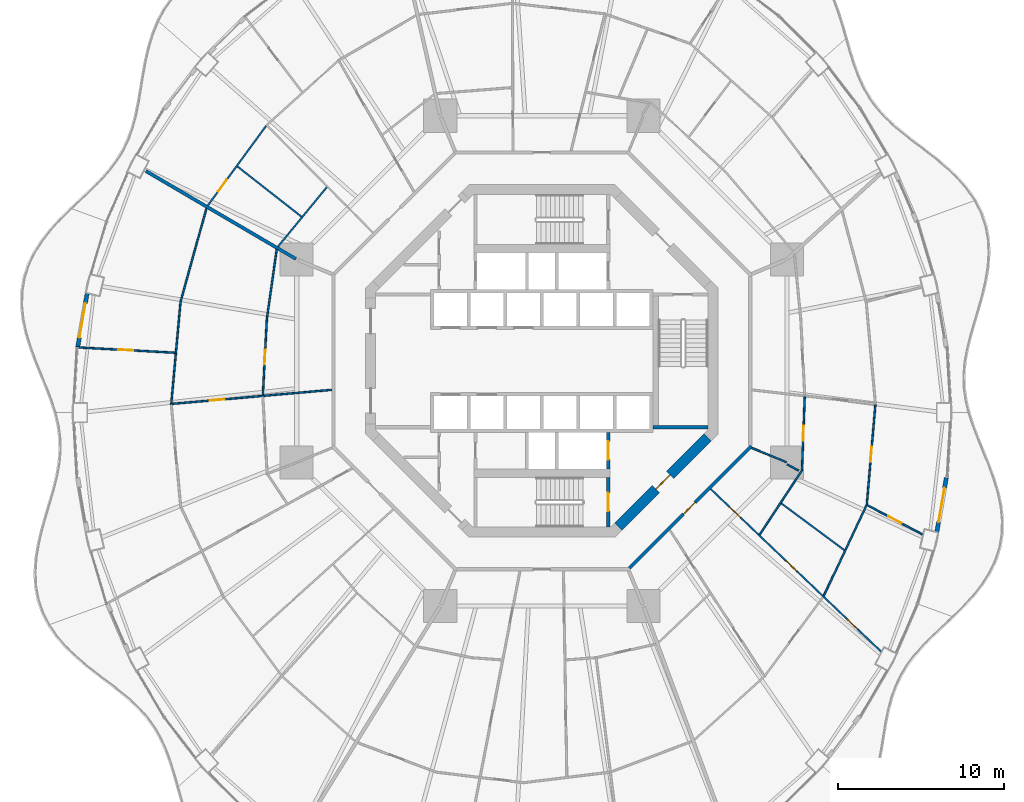
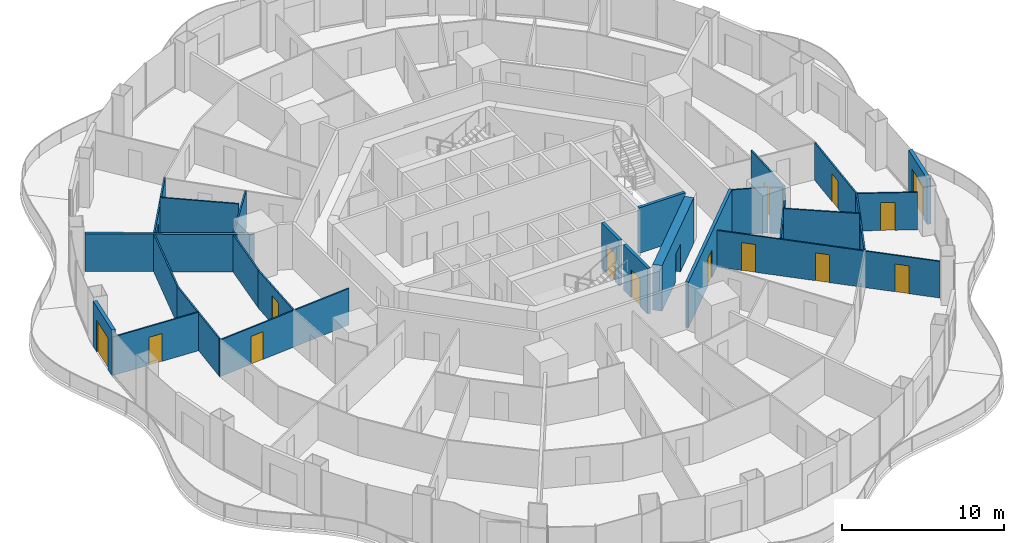
# One storey, part 15 of 21: 26 walls, 16 doors, 16 openings.
"""IFC4 building model written with IfcOpenShell, lengths in metres."""

from ifc_helpers import new_model, si_unit, direction, frame, frame_2d, origin, place, context, subcontext, project, spatial, polyline, rectangle, outline, extrude, material, layer, layer_set, type_object, element, fill, save


model = new_model("IFC4")

# Units and contexts
model_context = context("Model", 3, precision=1e-05, world=origin(), true_north=direction((0.0, 1.0)))
body_context = subcontext(model_context, "Body", "Model", "MODEL_VIEW")
ifc_project = project(units=[si_unit("LENGTHUNIT", "METRE"), si_unit("AREAUNIT", "SQUARE_METRE"), si_unit("VOLUMEUNIT", "CUBIC_METRE"), si_unit("PLANEANGLEUNIT", "RADIAN"), si_unit("MASSUNIT", "GRAM", prefix="KILO")], contexts=[model_context])

# Site, building, storey
site_placement = place(None, origin())
site = spatial("IfcSite", under=ifc_project, at=site_placement, CompositionType="ELEMENT")
building_placement = place(site_placement, origin())
building = spatial("IfcBuilding", under=site, at=building_placement, Name="Nagisa Residences", CompositionType="ELEMENT")
storey_placement = place(building_placement, frame((0.0, 0.0, 134.39990234375)))
storey = spatial("IfcBuildingStorey", under=building, at=storey_placement, Name="L33", CompositionType="ELEMENT", Elevation=134.39990234375)

# Wall
ifc_material_1 = material(Name="Gypsum board on steel studs", Category="steel")
ifc_layer_1 = layer(ifc_material_1, 0.199951171875)
ifc_layer_set_1 = layer_set([ifc_layer_1], Name="Apartment compartment wall EI60 200")
wall_type_1 = type_object("IfcWallType", Name="Apartment compartment wall EI60 200", PredefinedType="PARTITIONING", material=ifc_layer_set_1)
wall_1_placement = place(storey_placement, frame((-14.8251953125, 6.148193359375, 0.0), z_axis=(0.0, 0.0, 1.0), x_axis=(-0.862852031662, 0.505456597006, 0.0)))
element("IfcWall", 1, at=wall_1_placement, inside=storey, type_object=wall_type_1, Name="wall:L33:u05", PredefinedType="PARTITIONING", context=body_context, shape_type="SweptSolid", body=[
    extrude(rectangle(XDim=10.487060546875, YDim=0.199951171875, at=frame_2d((5.24365234375, 0.0))), origin(), (0.0, 0.0, 1.0), 2.828125),
])

# Wall, opening, door
ifc_material_2 = material(Name="Gypsum board on steel studs", Category="steel")
ifc_layer_2 = layer(ifc_material_2, 0.199951171875)
ifc_layer_set_2 = layer_set([ifc_layer_2], Name="Apartment entry wall EI60 200")
wall_type_2 = type_object("IfcWallType", Name="Apartment entry wall EI60 200", PredefinedType="PARTITIONING", material=ifc_layer_set_2)
wall_2_placement = place(storey_placement, frame((5.275146484375, -12.494140625, 0.0), z_axis=(0.0, 0.0, 1.0), x_axis=(0.707106781187, 0.707106781187, 0.0)))
wall_2 = element("IfcWall", 2, at=wall_2_placement, inside=storey, type_object=wall_type_2, Name="wall:L33:u17", PredefinedType="PARTITIONING", context=body_context, shape_type="SweptSolid", body=[
    extrude(rectangle(XDim=10.4091796875, YDim=0.199951171875, at=frame_2d((5.20458984375, 0.0))), origin(), (0.0, 0.0, 1.0), 3.440185546875),
])
opening_1_placement = place(wall_2_placement, frame((4.6044921875, 0.0, 0.0)))
opening_1 = element("IfcOpeningElement", 3, at=opening_1_placement, cuts=wall_2, Name="Opening L33-U31", PredefinedType="OPENING", context=body_context, shape_type="SweptSolid", body=[
    extrude(rectangle(XDim=1.0, YDim=2.10009765625, at=frame_2d((0.5, 1.050048828125))), frame((0.0, 0.10986328125, 0.0), z_axis=(0.0, -1.0, 0.0), x_axis=(1.0, 0.0, 0.0)), (0.0, 0.0, 1.0), 0.219970703125),
])
ifc_material_3 = material(Name="Timber fire door set", Category="wood")
door_type_1 = type_object("IfcDoorType", Name="Apartment entry door FD30S 1000x2100", OperationType="NOTDEFINED", PredefinedType="DOOR", material=ifc_material_3)
door_1_placement = place(opening_1_placement, frame((1.0, 0.0, 0.0), x_axis=(-1.0, 0.0, 0.0)))
door_1 = element("IfcDoor", 4, at=door_1_placement, inside=storey, type_object=door_type_1, Name="Entry door, Apartment 33D", OperationType="SINGLE_SWING_RIGHT", OverallHeight=2.10009765625, OverallWidth=1.0, PredefinedType="DOOR", context=body_context, shape_type="SweptSolid", body=[
    extrude(rectangle(XDim=1.0, YDim=2.10009765625, at=frame_2d((0.5, 1.050048828125))), frame((0.0, 0.02490234375, 0.0), z_axis=(0.0, -1.0, 0.0), x_axis=(1.0, 0.0, 0.0)), (0.0, 0.0, 1.0), 0.050048828125),
])
fill(opening_1, door_1)

ifc_material_4 = material(Name="Gypsum board on steel studs", Category="steel")
ifc_layer_3 = layer(ifc_material_4, 0.10009765625)
ifc_layer_set_3 = layer_set([ifc_layer_3], Name="Apartment partition 100")
wall_type_3 = type_object("IfcWallType", Name="Apartment partition 100", PredefinedType="PARTITIONING", material=ifc_layer_set_3)
wall_3_placement = place(storey_placement, frame((15.848876953125, -2.158203125, 0.0), z_axis=(0.0, 0.0, 1.0), x_axis=(-0.038390448414, -0.999262815014, 0.0)))
wall_3 = element("IfcWall", 5, at=wall_3_placement, inside=storey, type_object=wall_type_3, Name="wall:L33:u20", PredefinedType="PARTITIONING", context=body_context, shape_type="SweptSolid", body=[
    extrude(rectangle(XDim=4.394287109375, YDim=0.10009765625, at=frame_2d((2.197265625, 0.0))), origin(), (0.0, 0.0, 1.0), 3.440185546875),
])
opening_2_placement = place(wall_3_placement, frame((1.747314453125, 0.0, 0.0)))
opening_2 = element("IfcOpeningElement", 6, at=opening_2_placement, cuts=wall_3, Name="Opening L33-U42", PredefinedType="OPENING", context=body_context, shape_type="SweptSolid", body=[
    extrude(rectangle(XDim=0.89990234375, YDim=2.10009765625, at=frame_2d((0.449951171875, 1.050048828125))), frame((0.0, 0.06005859375, 0.0), z_axis=(0.0, -1.0, 0.0), x_axis=(1.0, 0.0, 0.0)), (0.0, 0.0, 1.0), 0.1201171875),
])
ifc_material_5 = material(Name="Timber door set", Category="wood")
door_type_2 = type_object("IfcDoorType", Name="Apartment door 900x2100", OperationType="NOTDEFINED", PredefinedType="DOOR", material=ifc_material_5)
door_2_placement = place(opening_2_placement, frame((0.89990234375, 0.0, 0.0), x_axis=(-1.0, 0.0, 0.0)))
door_2 = element("IfcDoor", 7, at=door_2_placement, inside=storey, type_object=door_type_2, Name="Door to store, Apartment 33D", OperationType="SINGLE_SWING_LEFT", OverallHeight=2.10009765625, OverallWidth=0.89990234375, PredefinedType="DOOR", context=body_context, shape_type="SweptSolid", body=[
    extrude(rectangle(XDim=0.89990234375, YDim=2.10009765625, at=frame_2d((0.449951171875, 1.050048828125))), frame((0.0, 0.02490234375, 0.0), z_axis=(0.0, -1.0, 0.0), x_axis=(1.0, 0.0, 0.0)), (0.0, 0.0, 1.0), 0.050048828125),
])
fill(opening_2, door_2)

wall_4_placement = place(storey_placement, frame((20.10595703125, -2.64208984375, 0.0), z_axis=(0.0, 0.0, 1.0), x_axis=(-0.085672025822, -0.996323393277, 0.0)))
wall_4 = element("IfcWall", 8, at=wall_4_placement, inside=storey, type_object=wall_type_3, Name="wall:L33:u22", PredefinedType="PARTITIONING", context=body_context, shape_type="SweptSolid", body=[
    extrude(rectangle(XDim=6.007080078125, YDim=0.10009765625, at=frame_2d((3.00341796875, 0.0))), origin(), (0.0, 0.0, 1.0), 2.828125),
])
opening_3_placement = place(wall_4_placement, frame((2.5537109375, 0.0, 0.0)))
opening_3 = element("IfcOpeningElement", 9, at=opening_3_placement, cuts=wall_4, Name="Opening L33-U40", PredefinedType="OPENING", context=body_context, shape_type="SweptSolid", body=[
    extrude(rectangle(XDim=0.89990234375, YDim=2.10009765625, at=frame_2d((0.449951171875, 1.050048828125))), frame((0.0, 0.06005859375, 0.0), z_axis=(0.0, -1.0, 0.0), x_axis=(1.0, 0.0, 0.0)), (0.0, 0.0, 1.0), 0.1201171875),
])
door_3_placement = place(opening_3_placement, frame((0.89990234375, 0.0, 0.0), x_axis=(-1.0, 0.0, 0.0)))
door_3 = element("IfcDoor", 10, at=door_3_placement, inside=storey, type_object=door_type_2, Name="Door to dining room, Apartment 33D", OperationType="SINGLE_SWING_LEFT", OverallHeight=2.10009765625, OverallWidth=0.89990234375, PredefinedType="DOOR", context=body_context, shape_type="SweptSolid", body=[
    extrude(rectangle(XDim=0.89990234375, YDim=2.10009765625, at=frame_2d((0.449951171875, 1.050048828125))), frame((0.0, 0.02490234375, 0.0), z_axis=(0.0, -1.0, 0.0), x_axis=(1.0, 0.0, 0.0)), (0.0, 0.0, 1.0), 0.050048828125),
])
fill(opening_3, door_3)

# Wall
wall_5_placement = place(storey_placement, frame((-12.965087890625, 10.474609375, 0.0), z_axis=(0.0, 0.0, 1.0), x_axis=(-0.634943961338, -0.772558195841, 0.0)))
element("IfcWall", 11, at=wall_5_placement, inside=storey, type_object=wall_type_3, Name="wall:L33:u48", PredefinedType="PARTITIONING", context=body_context, shape_type="SweptSolid", body=[
    extrude(rectangle(XDim=4.632080078125, YDim=0.10009765625, at=frame_2d((2.31591796875, 0.0))), origin(), (0.0, 0.0, 1.0), 2.828125),
])

# Wall, opening, door
wall_6_placement = place(storey_placement, frame((-16.620849609375, 14.17431640625, 0.0), z_axis=(0.0, 0.0, 1.0), x_axis=(-0.590674917338, -0.806909624449, 0.0)))
wall_6 = element("IfcWall", 12, at=wall_6_placement, inside=storey, type_object=wall_type_3, Name="wall:L33:u49", PredefinedType="PARTITIONING", context=body_context, shape_type="SweptSolid", body=[
    extrude(rectangle(XDim=5.948974609375, YDim=0.10009765625, at=frame_2d((2.974609375, 0.0))), origin(), (0.0, 0.0, 1.0), 2.828125),
])
opening_4_placement = place(wall_6_placement, frame((4.0244140625, 0.0, 0.0)))
opening_4 = element("IfcOpeningElement", 13, at=opening_4_placement, cuts=wall_6, Name="Opening L33-U08", PredefinedType="OPENING", context=body_context, shape_type="SweptSolid", body=[
    extrude(rectangle(XDim=0.89990234375, YDim=2.10009765625, at=frame_2d((0.449951171875, 1.050048828125))), frame((0.0, 0.06005859375, 0.0), z_axis=(0.0, -1.0, 0.0), x_axis=(1.0, 0.0, 0.0)), (0.0, 0.0, 1.0), 0.1201171875),
])
door_4_placement = place(opening_4_placement, origin())
door_4 = element("IfcDoor", 14, at=door_4_placement, inside=storey, type_object=door_type_2, Name="Door to en-suite bathroom, Apartment 33A", OperationType="SINGLE_SWING_RIGHT", OverallHeight=2.10009765625, OverallWidth=0.89990234375, PredefinedType="DOOR", context=body_context, shape_type="SweptSolid", body=[
    extrude(rectangle(XDim=0.89990234375, YDim=2.10009765625, at=frame_2d((0.449951171875, 1.050048828125))), frame((0.0, 0.02490234375, 0.0), z_axis=(0.0, -1.0, 0.0), x_axis=(1.0, 0.0, 0.0)), (0.0, 0.0, 1.0), 0.050048828125),
])
fill(opening_4, door_4)

# Walls
wall_7_placement = place(storey_placement, frame((-14.490966796875, 8.69677734375, 0.0), z_axis=(0.0, 0.0, 1.0), x_axis=(-0.787139479951, 0.616775031193, 0.0)))
element("IfcWall", 15, at=wall_7_placement, inside=storey, type_object=wall_type_3, Name="wall:L33:u50", PredefinedType="PARTITIONING", context=body_context, shape_type="SweptSolid", body=[
    extrude(rectangle(XDim=4.90673828125, YDim=0.10009765625, at=frame_2d((2.453369140625, 0.0))), origin(), (0.0, 0.0, 1.0), 3.440185546875),
])
wall_8_placement = place(storey_placement, frame((-15.98388671875, 6.7197265625, 0.0), z_axis=(0.0, 0.0, 1.0), x_axis=(-0.140684869512, -0.990054426529, 0.0)))
element("IfcWall", 16, at=wall_8_placement, inside=storey, type_object=wall_type_3, Name="wall:L33:u51", PredefinedType="PARTITIONING", context=body_context, shape_type="SweptSolid", body=[
    extrude(rectangle(XDim=4.177001953125, YDim=0.10009765625, at=frame_2d((2.08837890625, 0.0))), origin(), (0.0, 0.0, 1.0), 2.828125),
])
wall_9_placement = place(storey_placement, frame((-20.220703125, 9.19677734375, 0.0), z_axis=(0.0, 0.0, 1.0), x_axis=(-0.267398009191, -0.963586168789, 0.0)))
element("IfcWall", 17, at=wall_9_placement, inside=storey, type_object=wall_type_3, Name="wall:L33:u52", PredefinedType="PARTITIONING", context=body_context, shape_type="SweptSolid", body=[
    extrude(rectangle(XDim=5.78759765625, YDim=0.10009765625, at=frame_2d((2.893798828125, 0.0))), origin(), (0.0, 0.0, 1.0), 2.828125),
])

# Wall, opening, door
wall_10_placement = place(storey_placement, frame((-16.575927734375, 2.584716796875, 0.0), z_axis=(0.0, 0.0, 1.0), x_axis=(-0.052509224895, -0.998620439056, 0.0)))
wall_10 = element("IfcWall", 18, at=wall_10_placement, inside=storey, type_object=wall_type_3, Name="wall:L33:u53", PredefinedType="PARTITIONING", context=body_context, shape_type="SweptSolid", body=[
    extrude(rectangle(XDim=4.6494140625, YDim=0.10009765625, at=frame_2d((2.32470703125, 0.0))), origin(), (0.0, 0.0, 1.0), 2.828125),
])
opening_5_placement = place(wall_10_placement, frame((1.899658203125, 0.0, 0.0)))
opening_5 = element("IfcOpeningElement", 19, at=opening_5_placement, cuts=wall_10, Name="Opening L33-U21", PredefinedType="OPENING", context=body_context, shape_type="SweptSolid", body=[
    extrude(rectangle(XDim=0.89990234375, YDim=2.10009765625, at=frame_2d((0.449951171875, 1.050048828125))), frame((0.0, 0.06005859375, 0.0), z_axis=(0.0, -1.0, 0.0), x_axis=(1.0, 0.0, 0.0)), (0.0, 0.0, 1.0), 0.1201171875),
])
door_5_placement = place(opening_5_placement, origin())
door_5 = element("IfcDoor", 20, at=door_5_placement, inside=storey, type_object=door_type_2, Name="Door to laundry, Apartment 33B", OperationType="SINGLE_SWING_LEFT", OverallHeight=2.10009765625, OverallWidth=0.89990234375, PredefinedType="DOOR", context=body_context, shape_type="SweptSolid", body=[
    extrude(rectangle(XDim=0.89990234375, YDim=2.10009765625, at=frame_2d((0.449951171875, 1.050048828125))), frame((0.0, 0.02490234375, 0.0), z_axis=(0.0, -1.0, 0.0), x_axis=(1.0, 0.0, 0.0)), (0.0, 0.0, 1.0), 0.050048828125),
])
fill(opening_5, door_5)

# Wall
wall_11_placement = place(storey_placement, frame((-21.777099609375, 3.621337890625, 0.0), z_axis=(0.0, 0.0, 1.0), x_axis=(-0.090606877484, -0.995886737412, 0.0)))
element("IfcWall", 21, at=wall_11_placement, inside=storey, type_object=wall_type_3, Name="wall:L33:u54", PredefinedType="PARTITIONING", context=body_context, shape_type="SweptSolid", body=[
    extrude(rectangle(XDim=6.189208984375, YDim=0.10009765625, at=frame_2d((3.0947265625, 0.0))), origin(), (0.0, 0.0, 1.0), 2.828125),
])

# Wall, opening, door
wall_12_placement = place(storey_placement, frame((-22.112060546875, 0.492431640625, 0.0), z_axis=(0.0, 0.0, 1.0), x_axis=(-0.998479185151, 0.055129999278, 0.0)))
wall_12 = element("IfcWall", 22, at=wall_12_placement, inside=storey, type_object=wall_type_3, Name="wall:L33:u55", PredefinedType="PARTITIONING", context=body_context, shape_type="SweptSolid", body=[
    extrude(rectangle(XDim=5.965087890625, YDim=0.10009765625, at=frame_2d((2.982421875, 0.0))), origin(), (0.0, 0.0, 1.0), 2.905029296875),
])
opening_6_placement = place(wall_12_placement, frame((2.53271484375, 0.0, 0.0)))
opening_6 = element("IfcOpeningElement", 23, at=opening_6_placement, cuts=wall_12, Name="Opening L33-U20", PredefinedType="OPENING", context=body_context, shape_type="SweptSolid", body=[
    extrude(rectangle(XDim=0.89990234375, YDim=2.10009765625, at=frame_2d((0.449951171875, 1.050048828125))), frame((0.0, 0.06005859375, 0.0), z_axis=(0.0, -1.0, 0.0), x_axis=(1.0, 0.0, 0.0)), (0.0, 0.0, 1.0), 0.1201171875),
])
door_6_placement = place(opening_6_placement, frame((0.89990234375, 0.0, 0.0), x_axis=(-1.0, 0.0, 0.0)))
door_6 = element("IfcDoor", 24, at=door_6_placement, inside=storey, type_object=door_type_2, Name="Door to master bedroom, Apartment 33B", OperationType="SINGLE_SWING_LEFT", OverallHeight=2.10009765625, OverallWidth=0.89990234375, PredefinedType="DOOR", context=body_context, shape_type="SweptSolid", body=[
    extrude(rectangle(XDim=0.89990234375, YDim=2.10009765625, at=frame_2d((0.449951171875, 1.050048828125))), frame((0.0, 0.02490234375, 0.0), z_axis=(0.0, -1.0, 0.0), x_axis=(1.0, 0.0, 0.0)), (0.0, 0.0, 1.0), 0.050048828125),
])
fill(opening_6, door_6)

wall_13_placement = place(storey_placement, frame((-12.664306640625, -1.74365234375, 0.0), z_axis=(0.0, 0.0, 1.0), x_axis=(-0.99617728169, -0.087354584571, 0.0)))
wall_13 = element("IfcWall", 25, at=wall_13_placement, inside=storey, type_object=wall_type_3, Name="wall:L33:u56", PredefinedType="PARTITIONING", context=body_context, shape_type="SweptSolid", body=[
    extrude(rectangle(XDim=9.76513671875, YDim=0.10009765625, at=frame_2d((4.882568359375, 0.0))), origin(), (0.0, 0.0, 1.0), 2.756103515625),
])
opening_7_placement = place(wall_13_placement, frame((6.49462890625, 0.0, 0.0)))
opening_7 = element("IfcOpeningElement", 26, at=opening_7_placement, cuts=wall_13, Name="Opening L33-U19", PredefinedType="OPENING", context=body_context, shape_type="SweptSolid", body=[
    extrude(rectangle(XDim=0.89990234375, YDim=2.10009765625, at=frame_2d((0.449951171875, 1.050048828125))), frame((0.0, 0.06005859375, 0.0), z_axis=(0.0, -1.0, 0.0), x_axis=(1.0, 0.0, 0.0)), (0.0, 0.0, 1.0), 0.1201171875),
])
door_7_placement = place(opening_7_placement, frame((0.89990234375, 0.0, 0.0), x_axis=(-1.0, 0.0, 0.0)))
door_7 = element("IfcDoor", 27, at=door_7_placement, inside=storey, type_object=door_type_2, Name="Door to dining room, Apartment 33B", OperationType="SINGLE_SWING_RIGHT", OverallHeight=2.10009765625, OverallWidth=0.89990234375, PredefinedType="DOOR", context=body_context, shape_type="SweptSolid", body=[
    extrude(rectangle(XDim=0.89990234375, YDim=2.10009765625, at=frame_2d((0.449951171875, 1.050048828125))), frame((0.0, 0.02490234375, 0.0), z_axis=(0.0, -1.0, 0.0), x_axis=(1.0, 0.0, 0.0)), (0.0, 0.0, 1.0), 0.050048828125),
])
fill(opening_7, door_7)

# Wall, openings, doors
wall_14_placement = place(storey_placement, frame((10.18359375, -7.72705078125, 0.0), z_axis=(0.0, 0.0, 1.0), x_axis=(0.723635100101, -0.690182759783, 0.0)))
wall_14 = element("IfcWall", 28, at=wall_14_placement, inside=storey, type_object=wall_type_3, Name="wall:L33:u85", PredefinedType="PARTITIONING", context=body_context, shape_type="SweptSolid", body=[
    extrude(rectangle(XDim=14.173095703125, YDim=0.10009765625, at=frame_2d((7.08642578125, 0.0))), origin(), (0.0, 0.0, 1.0), 2.756103515625),
])
opening_8_placement = place(wall_14_placement, frame((1.56494140625, 0.0, 0.0)))
opening_8 = element("IfcOpeningElement", 29, at=opening_8_placement, cuts=wall_14, Name="Opening L33-U33", PredefinedType="OPENING", context=body_context, shape_type="SweptSolid", body=[
    extrude(rectangle(XDim=0.89990234375, YDim=2.10009765625, at=frame_2d((0.449951171875, 1.050048828125))), frame((0.0, 0.06005859375, 0.0), z_axis=(0.0, -1.0, 0.0), x_axis=(1.0, 0.0, 0.0)), (0.0, 0.0, 1.0), 0.1201171875),
])
opening_9_placement = place(wall_14_placement, frame((6.2568359375, 0.0, 0.0)))
opening_9 = element("IfcOpeningElement", 30, at=opening_9_placement, cuts=wall_14, Name="Opening L33-U35", PredefinedType="OPENING", context=body_context, shape_type="SweptSolid", body=[
    extrude(rectangle(XDim=0.89990234375, YDim=2.10009765625, at=frame_2d((0.449951171875, 1.050048828125))), frame((0.0, 0.06005859375, 0.0), z_axis=(0.0, -1.0, 0.0), x_axis=(1.0, 0.0, 0.0)), (0.0, 0.0, 1.0), 0.1201171875),
])
opening_10_placement = place(wall_14_placement, frame((11.328369140625, 0.0, 0.0)))
opening_10 = element("IfcOpeningElement", 31, at=opening_10_placement, cuts=wall_14, Name="Opening L33-U37", PredefinedType="OPENING", context=body_context, shape_type="SweptSolid", body=[
    extrude(rectangle(XDim=0.89990234375, YDim=2.10009765625, at=frame_2d((0.449951171875, 1.050048828125))), frame((0.0, 0.06005859375, 0.0), z_axis=(0.0, -1.0, 0.0), x_axis=(1.0, 0.0, 0.0)), (0.0, 0.0, 1.0), 0.1201171875),
])
door_8_placement = place(opening_8_placement, origin())
door_8 = element("IfcDoor", 32, at=door_8_placement, inside=storey, type_object=door_type_2, Name="Door to family bathroom, Apartment 33D", OperationType="SINGLE_SWING_LEFT", OverallHeight=2.10009765625, OverallWidth=0.89990234375, PredefinedType="DOOR", context=body_context, shape_type="SweptSolid", body=[
    extrude(rectangle(XDim=0.89990234375, YDim=2.10009765625, at=frame_2d((0.449951171875, 1.050048828125))), frame((0.0, 0.02490234375, 0.0), z_axis=(0.0, -1.0, 0.0), x_axis=(1.0, 0.0, 0.0)), (0.0, 0.0, 1.0), 0.050048828125),
])
fill(opening_8, door_8)
door_9_placement = place(opening_9_placement, origin())
door_9 = element("IfcDoor", 33, at=door_9_placement, inside=storey, type_object=door_type_2, Name="Door to family bathroom, Apartment 33D", OperationType="SINGLE_SWING_LEFT", OverallHeight=2.10009765625, OverallWidth=0.89990234375, PredefinedType="DOOR", context=body_context, shape_type="SweptSolid", body=[
    extrude(rectangle(XDim=0.89990234375, YDim=2.10009765625, at=frame_2d((0.449951171875, 1.050048828125))), frame((0.0, 0.02490234375, 0.0), z_axis=(0.0, -1.0, 0.0), x_axis=(1.0, 0.0, 0.0)), (0.0, 0.0, 1.0), 0.050048828125),
])
fill(opening_9, door_9)
door_10_placement = place(opening_10_placement, origin())
door_10 = element("IfcDoor", 34, at=door_10_placement, inside=storey, type_object=door_type_2, Name="Door to bedroom, Apartment 33D", OperationType="SINGLE_SWING_LEFT", OverallHeight=2.10009765625, OverallWidth=0.89990234375, PredefinedType="DOOR", context=body_context, shape_type="SweptSolid", body=[
    extrude(rectangle(XDim=0.89990234375, YDim=2.10009765625, at=frame_2d((0.449951171875, 1.050048828125))), frame((0.0, 0.02490234375, 0.0), z_axis=(0.0, -1.0, 0.0), x_axis=(1.0, 0.0, 0.0)), (0.0, 0.0, 1.0), 0.050048828125),
])
fill(opening_10, door_10)

# Walls
wall_15_placement = place(storey_placement, frame((13.12744140625, -10.466552734375, 0.0), z_axis=(0.0, 0.0, 1.0), x_axis=(0.550614843759, 0.834759422727, 0.0)))
element("IfcWall", 35, at=wall_15_placement, inside=storey, type_object=wall_type_3, Name="wall:L33:u86", PredefinedType="PARTITIONING", context=body_context, shape_type="SweptSolid", body=[
    extrude(rectangle(XDim=4.6826171875, YDim=0.10009765625, at=frame_2d((2.34130859375, 0.0))), origin(), (0.0, 0.0, 1.0), 2.828125),
])
wall_16_placement = place(storey_placement, frame((16.995361328125, -14.158203125, 0.0), z_axis=(0.0, 0.0, 1.0), x_axis=(0.427456178439, 0.904036069808, 0.0)))
element("IfcWall", 36, at=wall_16_placement, inside=storey, type_object=wall_type_3, Name="wall:L33:u87", PredefinedType="PARTITIONING", context=body_context, shape_type="SweptSolid", body=[
    extrude(rectangle(XDim=6.113037109375, YDim=0.10009765625, at=frame_2d((3.056640625, 0.0))), origin(), (0.0, 0.0, 1.0), 2.828125),
])
wall_17_placement = place(storey_placement, frame((14.42919921875, -8.58349609375, 0.0), z_axis=(0.0, 0.0, 1.0), x_axis=(0.803162355549, -0.595760212358, 0.0)))
element("IfcWall", 37, at=wall_17_placement, inside=storey, type_object=wall_type_3, Name="wall:L33:u88", PredefinedType="PARTITIONING", context=body_context, shape_type="SweptSolid", body=[
    extrude(rectangle(XDim=4.7451171875, YDim=0.10009765625, at=frame_2d((2.37255859375, 0.0))), origin(), (0.0, 0.0, 1.0), 3.440185546875),
])
wall_18_placement = place(storey_placement, frame((12.6572265625, -5.24267578125, 0.0), z_axis=(0.0, 0.0, 1.0), x_axis=(0.923864733477, -0.382719158442, 0.0)))
element("IfcWall", 38, at=wall_18_placement, inside=storey, type_object=wall_type_3, Name="wall:L33:u89", PredefinedType="PARTITIONING", context=body_context, shape_type="SweptSolid", body=[
    extrude(rectangle(XDim=2.25, YDim=0.10009765625, at=frame_2d((1.125, 0.0))), origin(), (0.0, 0.0, 1.0), 3.440185546875),
])

# Wall, opening, door
wall_19_placement = place(storey_placement, frame((19.631103515625, -8.700439453125, 0.0), z_axis=(0.0, 0.0, 1.0), x_axis=(0.883011478612, -0.469351391433, 0.0)))
wall_19 = element("IfcWall", 39, at=wall_19_placement, inside=storey, type_object=wall_type_3, Name="wall:L33:u90", PredefinedType="PARTITIONING", context=body_context, shape_type="SweptSolid", body=[
    extrude(rectangle(XDim=3.730712890625, YDim=0.10009765625, at=frame_2d((1.865234375, 0.0))), origin(), (0.0, 0.0, 1.0), 2.828125),
])
opening_11_placement = place(wall_19_placement, frame((1.415283203125, 0.0, 0.0)))
opening_11 = element("IfcOpeningElement", 40, at=opening_11_placement, cuts=wall_19, Name="Opening L33-U38", PredefinedType="OPENING", context=body_context, shape_type="SweptSolid", body=[
    extrude(rectangle(XDim=0.89990234375, YDim=2.10009765625, at=frame_2d((0.449951171875, 1.050048828125))), frame((0.0, 0.06005859375, 0.0), z_axis=(0.0, -1.0, 0.0), x_axis=(1.0, 0.0, 0.0)), (0.0, 0.0, 1.0), 0.1201171875),
])
door_11_placement = place(opening_11_placement, origin())
door_11 = element("IfcDoor", 41, at=door_11_placement, inside=storey, type_object=door_type_2, Name="Door to living room, Apartment 33D", OperationType="SINGLE_SWING_RIGHT", OverallHeight=2.10009765625, OverallWidth=0.89990234375, PredefinedType="DOOR", context=body_context, shape_type="SweptSolid", body=[
    extrude(rectangle(XDim=0.89990234375, YDim=2.10009765625, at=frame_2d((0.449951171875, 1.050048828125))), frame((0.0, 0.02490234375, 0.0), z_axis=(0.0, -1.0, 0.0), x_axis=(1.0, 0.0, 0.0)), (0.0, 0.0, 1.0), 0.050048828125),
])
fill(opening_11, door_11)

# Wall
wall_20_placement = place(storey_placement, frame((14.77392578125, -6.23193359375, 0.0), z_axis=(0.0, 0.0, 1.0), x_axis=(0.883135211276, -0.46911853364, 0.0)))
element("IfcWall", 42, at=wall_20_placement, inside=storey, type_object=wall_type_3, Name="wall:L33:u91", PredefinedType="PARTITIONING", context=body_context, shape_type="SweptSolid", body=[
    extrude(rectangle(XDim=0.810791015625, YDim=0.10009765625, at=frame_2d((0.4052734375, 0.0))), origin(), (0.0, 0.0, 1.0), 3.440185546875),
])

# Wall, opening, door
ifc_material_6 = material(Name="Precast concrete C40/50", Category="concrete")
ifc_layer_4 = layer(ifc_material_6, 0.25)
ifc_layer_set_4 = layer_set([ifc_layer_4], Name="BALCONY DOOR WALL 250")
wall_type_4 = type_object("IfcWallType", Name="BALCONY DOOR WALL 250", PredefinedType="SOLIDWALL", material=ifc_layer_set_4)
wall_21_placement = place(storey_placement, frame((-27.98486328125, 0.802001953125, 0.0), z_axis=(0.0, 0.0, 1.0), x_axis=(0.172163521006, 0.985068384446, 0.0)))
wall_21 = element("IfcWall", 43, at=wall_21_placement, inside=storey, type_object=wall_type_4, Name="wall:L33:bay22", PredefinedType="SOLIDWALL", context=body_context, shape_type="SweptSolid", body=[
    extrude(rectangle(XDim=3.33251953125, YDim=0.25, at=frame_2d((1.666259765625, 0.0))), origin(), (0.0, 0.0, 1.0), 3.440185546875),
])
opening_12_placement = place(wall_21_placement, frame((0.6162109375, 0.0, 0.0)))
opening_12 = element("IfcOpeningElement", 44, at=opening_12_placement, cuts=wall_21, Name="Opening BD-L33-08", PredefinedType="OPENING", context=body_context, shape_type="SweptSolid", body=[
    extrude(rectangle(XDim=2.10009765625, YDim=2.39990234375, at=frame_2d((1.050048828125, 1.199951171875))), frame((0.0, 0.135009765625, 0.0), z_axis=(0.0, -1.0, 0.0), x_axis=(1.0, 0.0, 0.0)), (0.0, 0.0, 1.0), 0.27001953125),
])
ifc_material_7 = material(Name="Aluminium and clear glass", Category="aluminium")
door_type_3 = type_object("IfcDoorType", Name="BALCONY SLIDING DOOR 2100x2400", OperationType="SLIDING_TO_LEFT", PredefinedType="DOOR", material=ifc_material_7)
door_12_placement = place(opening_12_placement, origin())
door_12 = element("IfcDoor", 45, at=door_12_placement, inside=storey, type_object=door_type_3, Name="door:L33:bay22", OperationType="SLIDING_TO_LEFT", OverallHeight=2.39990234375, OverallWidth=2.10009765625, PredefinedType="DOOR", context=body_context, shape_type="SweptSolid", body=[
    extrude(rectangle(XDim=2.10009765625, YDim=2.39990234375, at=frame_2d((1.050048828125, 1.199951171875))), frame((0.0, 0.02490234375, 0.0), z_axis=(0.0, -1.0, 0.0), x_axis=(1.0, 0.0, 0.0)), (0.0, 0.0, 1.0), 0.050048828125),
])
fill(opening_12, door_12)

wall_22_placement = place(storey_placement, frame((24.384765625, -7.037353515625, 0.0), z_axis=(0.0, 0.0, 1.0), x_axis=(-0.172163521006, -0.985068384446, 0.0)))
wall_22 = element("IfcWall", 46, at=wall_22_placement, inside=storey, type_object=wall_type_4, Name="wall:L33:bay46", PredefinedType="SOLIDWALL", context=body_context, shape_type="SweptSolid", body=[
    extrude(rectangle(XDim=3.33251953125, YDim=0.25, at=frame_2d((1.666259765625, 0.0))), origin(), (0.0, 0.0, 1.0), 3.440185546875),
])
opening_13_placement = place(wall_22_placement, frame((0.6162109375, 0.0, 0.0)))
opening_13 = element("IfcOpeningElement", 47, at=opening_13_placement, cuts=wall_22, Name="Opening BD-L33-16", PredefinedType="OPENING", context=body_context, shape_type="SweptSolid", body=[
    extrude(rectangle(XDim=2.10009765625, YDim=2.39990234375, at=frame_2d((1.050048828125, 1.199951171875))), frame((0.0, 0.135009765625, 0.0), z_axis=(0.0, -1.0, 0.0), x_axis=(1.0, 0.0, 0.0)), (0.0, 0.0, 1.0), 0.27001953125),
])
door_13_placement = place(opening_13_placement, origin())
door_13 = element("IfcDoor", 48, at=door_13_placement, inside=storey, type_object=door_type_3, Name="door:L33:bay46", OperationType="SLIDING_TO_LEFT", OverallHeight=2.39990234375, OverallWidth=2.10009765625, PredefinedType="DOOR", context=body_context, shape_type="SweptSolid", body=[
    extrude(rectangle(XDim=2.10009765625, YDim=2.39990234375, at=frame_2d((1.050048828125, 1.199951171875))), frame((0.0, 0.02490234375, 0.0), z_axis=(0.0, -1.0, 0.0), x_axis=(1.0, 0.0, 0.0)), (0.0, 0.0, 1.0), 0.050048828125),
])
fill(opening_13, door_13)

ifc_material_8 = material(Name="Concrete C60", Category="concrete")
ifc_layer_5 = layer(ifc_material_8, 0.60009765625)
ifc_layer_set_5 = layer_set([ifc_layer_5], Name="Core shear wall 600")
wall_type_5 = type_object("IfcWallType", Name="Core shear wall 600", PredefinedType="SHEAR", material=ifc_layer_set_5)
wall_23_placement = place(storey_placement, frame((4.613037109375, -9.98828125, 0.0), z_axis=(0.0, 0.0, 1.0), x_axis=(0.707106781187, 0.707106781187, 0.0)))
wall_23 = element("IfcWall", 49, at=wall_23_placement, inside=storey, type_object=wall_type_5, Name="wall:L33:core:flat7", PredefinedType="SHEAR", context=body_context, shape_type="SweptSolid", body=[
    extrude(rectangle(XDim=7.601806640625, YDim=0.60009765625, at=frame_2d((3.80078125, 0.0))), origin(), (0.0, 0.0, 1.0), 3.440185546875),
])
opening_14_placement = place(wall_23_placement, frame((3.200927734375, 0.0, 0.0)))
opening_14 = element("IfcOpeningElement", 50, at=opening_14_placement, cuts=wall_23, Name="Opening L33-C18", PredefinedType="OPENING", context=body_context, shape_type="SweptSolid", body=[
    extrude(rectangle(XDim=1.199951171875, YDim=2.10009765625, at=frame_2d((0.60009765625, 1.050048828125))), frame((0.0, 0.31005859375, 0.0), z_axis=(0.0, -1.0, 0.0), x_axis=(1.0, 0.0, 0.0)), (0.0, 0.0, 1.0), 0.6201171875),
])
ifc_material_9 = material(Name="Steel fire door", Category="steel")
door_type_4 = type_object("IfcDoorType", Name="Fire door EI60 1200x2100 single swing", OperationType="NOTDEFINED", PredefinedType="DOOR", material=ifc_material_9)
door_14_placement = place(opening_14_placement, origin())
door_14 = element("IfcDoor", 51, at=door_14_placement, inside=storey, type_object=door_type_4, Name="Firefighting lobby 2 door L33", OperationType="SINGLE_SWING_LEFT", OverallHeight=2.10009765625, OverallWidth=1.199951171875, PredefinedType="DOOR", context=body_context, shape_type="SweptSolid", body=[
    extrude(rectangle(XDim=1.199951171875, YDim=2.10009765625, at=frame_2d((0.60009765625, 1.050048828125))), frame((0.0, 0.02490234375, 0.0), z_axis=(0.0, -1.0, 0.0), x_axis=(1.0, 0.0, 0.0)), (0.0, 0.0, 1.0), 0.050048828125),
])
fill(opening_14, door_14)

ifc_material_10 = material(Name="Concrete C60", Category="concrete")
ifc_layer_6 = layer(ifc_material_10, 0.199951171875)
ifc_layer_set_6 = layer_set([ifc_layer_6], Name="Lift shaft wall 200")
wall_type_6 = type_object("IfcWallType", Name="Lift shaft wall 200", PredefinedType="SOLIDWALL", material=ifc_layer_set_6)
wall_24_placement = place(storey_placement, frame((4.0, -6.5, 0.0), z_axis=(0.0, 0.0, 1.0), x_axis=(0.0, 1.0, 0.0)))
wall_24 = element("IfcWall", 52, at=wall_24_placement, inside=storey, type_object=wall_type_6, Name="wall:L33:Sb3", PredefinedType="SOLIDWALL", context=body_context, shape_type="SweptSolid", body=[
    extrude(rectangle(XDim=2.199951171875, YDim=0.199951171875, at=frame_2d((1.10009765625, 0.0))), origin(), (0.0, 0.0, 1.0), 3.440185546875),
])
opening_15_placement = place(wall_24_placement, frame((0.550048828125, 0.0, 0.0)))
opening_15 = element("IfcOpeningElement", 53, at=opening_15_placement, cuts=wall_24, Name="Opening L33-C07", PredefinedType="OPENING", context=body_context, shape_type="SweptSolid", body=[
    extrude(rectangle(XDim=1.10009765625, YDim=2.10009765625, at=frame_2d((0.550048828125, 1.050048828125))), frame((0.0, 0.10986328125, 0.0), z_axis=(0.0, -1.0, 0.0), x_axis=(1.0, 0.0, 0.0)), (0.0, 0.0, 1.0), 0.219970703125),
])
ifc_material_11 = material(Name="Stainless steel", Category="steel")
door_type_5 = type_object("IfcDoorType", Name="Lift landing door 1100x2100", OperationType="DOUBLE_DOOR_SLIDING", PredefinedType="DOOR", material=ifc_material_11)
door_15_placement = place(opening_15_placement, origin())
door_15 = element("IfcDoor", 54, at=door_15_placement, inside=storey, type_object=door_type_5, Name="Landing door FL2 L33", OperationType="DOUBLE_DOOR_SLIDING", OverallHeight=2.10009765625, OverallWidth=1.10009765625, PredefinedType="DOOR", context=body_context, shape_type="SweptSolid", body=[
    extrude(rectangle(XDim=1.10009765625, YDim=2.10009765625, at=frame_2d((0.550048828125, 1.050048828125))), frame((0.0, 0.02490234375, 0.0), z_axis=(0.0, -1.0, 0.0), x_axis=(1.0, 0.0, 0.0)), (0.0, 0.0, 1.0), 0.050048828125),
])
fill(opening_15, door_15)

ifc_material_12 = material(Name="Concrete C60", Category="concrete")
ifc_layer_7 = layer(ifc_material_12, 0.199951171875)
ifc_layer_set_7 = layer_set([ifc_layer_7], Name="Stair enclosure wall 200")
wall_type_7 = type_object("IfcWallType", Name="Stair enclosure wall 200", PredefinedType="SOLIDWALL", material=ifc_layer_set_7)
wall_25_placement = place(storey_placement, frame((4.0, -10.024658203125, 0.0), z_axis=(0.0, 0.0, 1.0), x_axis=(0.0, 1.0, 0.0)))
wall_25 = element("IfcWall", 55, at=wall_25_placement, inside=storey, type_object=wall_type_7, Name="wall:L33:SS_e", PredefinedType="SOLIDWALL", context=body_context, shape_type="SweptSolid", body=[
    extrude(rectangle(XDim=3.0, YDim=0.199951171875, at=frame_2d((1.5, 0.0))), origin(), (0.0, 0.0, 1.0), 3.440185546875),
])
opening_16_placement = place(wall_25_placement, frame((0.974609375, 0.0, 0.0)))
opening_16 = element("IfcOpeningElement", 56, at=opening_16_placement, cuts=wall_25, Name="Opening L33-C11", PredefinedType="OPENING", context=body_context, shape_type="SweptSolid", body=[
    extrude(rectangle(XDim=1.10009765625, YDim=2.10009765625, at=frame_2d((0.550048828125, 1.050048828125))), frame((0.0, 0.10986328125, 0.0), z_axis=(0.0, -1.0, 0.0), x_axis=(1.0, 0.0, 0.0)), (0.0, 0.0, 1.0), 0.219970703125),
])
ifc_material_13 = material(Name="Steel fire door", Category="steel")
door_type_6 = type_object("IfcDoorType", Name="Fire door EI90 1100x2100 single swing", OperationType="NOTDEFINED", PredefinedType="DOOR", material=ifc_material_13)
door_16_placement = place(opening_16_placement, origin())
door_16 = element("IfcDoor", 57, at=door_16_placement, inside=storey, type_object=door_type_6, Name="Stair door ST-S L33", OperationType="SINGLE_SWING_LEFT", OverallHeight=2.10009765625, OverallWidth=1.10009765625, PredefinedType="DOOR", context=body_context, shape_type="SweptSolid", body=[
    extrude(rectangle(XDim=1.10009765625, YDim=2.10009765625, at=frame_2d((0.550048828125, 1.050048828125))), frame((0.0, 0.02490234375, 0.0), z_axis=(0.0, -1.0, 0.0), x_axis=(1.0, 0.0, 0.0)), (0.0, 0.0, 1.0), 0.050048828125),
])
fill(opening_16, door_16)

# Wall
wall_26_placement = place(storey_placement, origin())
element("IfcWall", 58, at=wall_26_placement, inside=storey, type_object=wall_type_7, Name="wall:L33:SE_s", PredefinedType="SOLIDWALL", context=body_context, shape_type="SweptSolid", body=[
    extrude(outline(polyline([(10.024658203125, -4.10009765625), (6.699951171875, -4.10009765625), (6.699951171875, -3.89990234375), (10.024658203125, -3.89990234375), (10.024658203125, -4.10009765625)])), origin(), (0.0, 0.0, 1.0), 3.440185546875),
])

save(model, "model.ifc")
